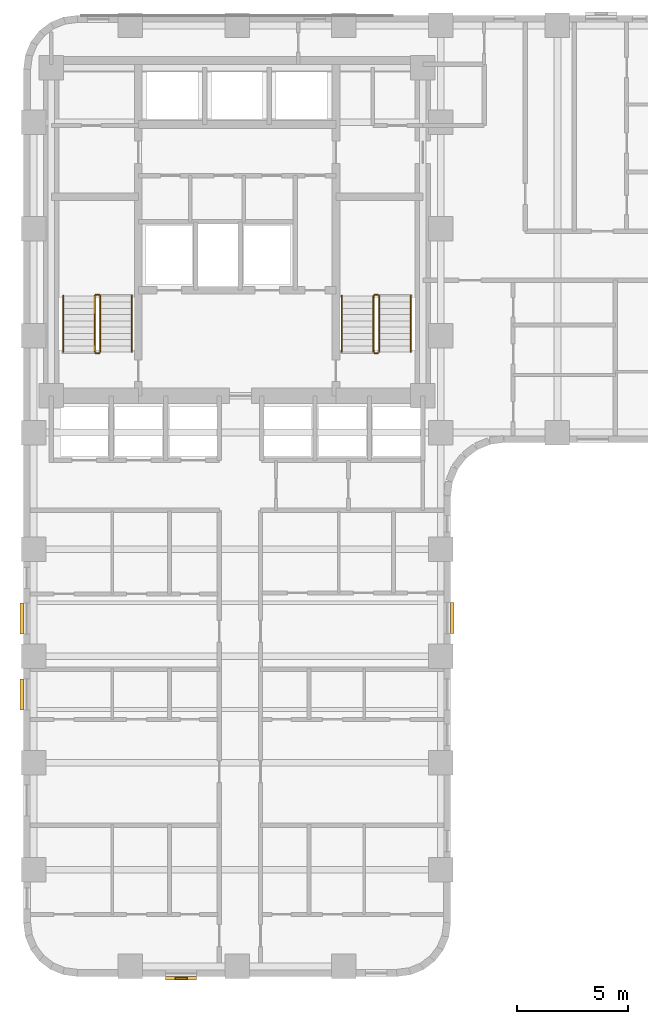
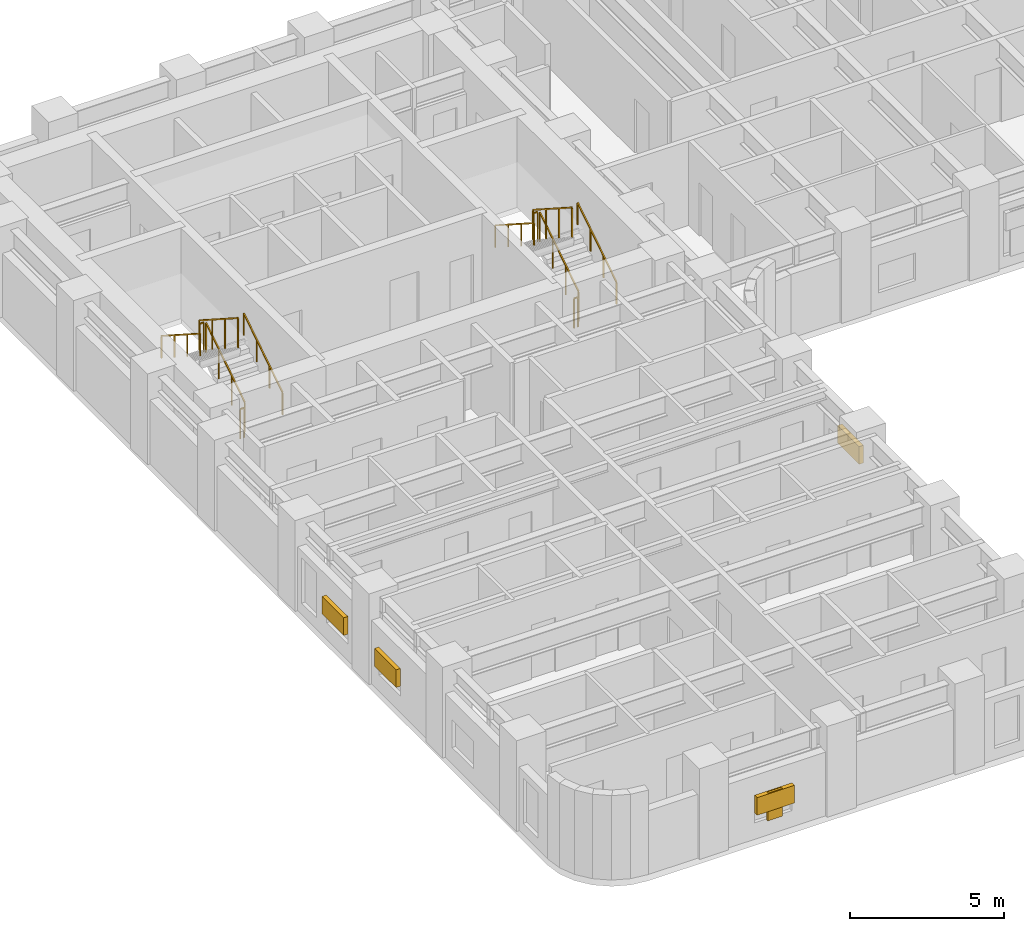
# One storey, part 9 of 11: 12 railings, 5 shading devices.
"""IFC4 building model written with IfcOpenShell, lengths in metres."""

from ifc_helpers import new_model, si_unit, direction, frame, origin, origin_2d, place, context, subcontext, project, spatial, rectangle, extrude, material, type_object, element, save


model = new_model("IFC4")

# Units and contexts
model_context = context("Model", 3, precision=1e-05, world=origin(), true_north=direction((0.0, 1.0)))
body_context = subcontext(model_context, "Body", "Model", "MODEL_VIEW")
ifc_project = project(units=[si_unit("LENGTHUNIT", "METRE"), si_unit("AREAUNIT", "SQUARE_METRE"), si_unit("VOLUMEUNIT", "CUBIC_METRE"), si_unit("PLANEANGLEUNIT", "RADIAN"), si_unit("MASSUNIT", "GRAM", prefix="KILO")], contexts=[model_context])

# Site, building, storey
site_placement = place(None, origin())
site = spatial("IfcSite", under=ifc_project, at=site_placement, CompositionType="ELEMENT")
building_placement = place(site_placement, origin())
building = spatial("IfcBuilding", under=site, at=building_placement, Name="Orvandelia Arch Residences", CompositionType="ELEMENT")
storey_placement = place(building_placement, frame((0.0, 0.0, 25.0)))
storey = spatial("IfcBuildingStorey", under=building, at=storey_placement, Name="L05", CompositionType="ELEMENT", Elevation=25.0)

# Railings
ifc_material_1 = material(Name="Brushed Stainless Steel 304", Category="steel")
railing_type_1 = type_object("IfcRailingType", Name="RL-STAIR-GD1120", PredefinedType="GUARDRAIL", material=ifc_material_1)
railing_1_placement = place(storey_placement, frame((8.25, 32.8701171875, 0.179931640625)))
element("IfcRailing", 1, at=railing_1_placement, inside=storey, type_object=railing_type_1, Name="L05 ST-1 stair guard 1", PredefinedType="GUARDRAIL", context=body_context, shape_type="SweptSolid", body=[
    extrude(rectangle(XDim=0.048095703125, YDim=0.048095703125, at=origin_2d()), frame((0.0, 0.0, 1.17578125), z_axis=(0.0, 0.841138753965, 0.540819375188), x_axis=(-1.0, 0.0, 0.0)), (0.0, 0.0, 1.0), 2.99560546875),
    extrude(rectangle(XDim=0.0419921875, YDim=0.0419921875, at=origin_2d()), origin(), (0.0, 0.0, 1.0), 1.15185546875),
    extrude(rectangle(XDim=0.0419921875, YDim=0.0419921875, at=origin_2d()), frame((0.0, 0.83984375, 0.5400390625)), (0.0, 0.0, 1.0), 1.15185546875),
    extrude(rectangle(XDim=0.0419921875, YDim=0.0419921875, at=origin_2d()), frame((0.0, 1.679931640625, 1.080078125)), (0.0, 0.0, 1.0), 1.15185546875),
    extrude(rectangle(XDim=0.0419921875, YDim=0.0419921875, at=origin_2d()), frame((0.0, 2.519775390625, 1.6201171875)), (0.0, 0.0, 1.0), 1.15185546875),
])
railing_2_placement = place(storey_placement, frame((8.199951171875, 35.43994140625, 1.800048828125)))
element("IfcRailing", 2, at=railing_2_placement, inside=storey, type_object=railing_type_1, Name="L05 ST-1 stair guard 2", PredefinedType="GUARDRAIL", context=body_context, shape_type="SweptSolid", body=[
    extrude(rectangle(XDim=0.048095703125, YDim=0.048095703125, at=origin_2d()), frame((0.0, 0.0, 1.17578125), z_axis=(-1.0, 0.0, 0.0), x_axis=(0.0, -1.0, 0.0)), (0.0, 0.0, 1.0), 0.14990234375),
    extrude(rectangle(XDim=0.0419921875, YDim=0.0419921875, at=origin_2d()), origin(), (0.0, 0.0, 1.0), 1.15185546875),
    extrude(rectangle(XDim=0.0419921875, YDim=0.0419921875, at=origin_2d()), frame((-0.14990234375, 0.0, 0.0)), (0.0, 0.0, 1.0), 1.15185546875),
])
railing_3_placement = place(storey_placement, frame((8.0, 35.389892578125, 1.97998046875)))
element("IfcRailing", 3, at=railing_3_placement, inside=storey, type_object=railing_type_1, Name="L05 ST-1 stair guard 3", PredefinedType="GUARDRAIL", context=body_context, shape_type="SweptSolid", body=[
    extrude(rectangle(XDim=0.048095703125, YDim=0.048095703125, at=origin_2d()), frame((0.0, 0.0, 1.17578125), z_axis=(0.0, -0.841138753965, 0.540819375188), x_axis=(1.0, 0.0, 0.0)), (0.0, 0.0, 1.0), 2.99560546875),
    extrude(rectangle(XDim=0.0419921875, YDim=0.0419921875, at=origin_2d()), origin(), (0.0, 0.0, 1.0), 1.15185546875),
    extrude(rectangle(XDim=0.0419921875, YDim=0.0419921875, at=origin_2d()), frame((0.0, -0.83984375, 0.5400390625)), (0.0, 0.0, 1.0), 1.15185546875),
    extrude(rectangle(XDim=0.0419921875, YDim=0.0419921875, at=origin_2d()), frame((0.0, -1.679931640625, 1.080078125)), (0.0, 0.0, 1.0), 1.15185546875),
    extrude(rectangle(XDim=0.0419921875, YDim=0.0419921875, at=origin_2d()), frame((0.0, -2.519775390625, 1.6201171875)), (0.0, 0.0, 1.0), 1.15185546875),
])
railing_4_placement = place(storey_placement, frame((8.199951171875, 32.820068359375, 0.0)))
element("IfcRailing", 4, at=railing_4_placement, inside=storey, type_object=railing_type_1, Name="L05 ST-1 stair guard 4", PredefinedType="GUARDRAIL", context=body_context, shape_type="SweptSolid", body=[
    extrude(rectangle(XDim=0.048095703125, YDim=0.048095703125, at=origin_2d()), frame((0.0, 0.0, 1.17578125), z_axis=(-1.0, 0.0, 0.0), x_axis=(0.0, -1.0, 0.0)), (0.0, 0.0, 1.0), 0.14990234375),
    extrude(rectangle(XDim=0.0419921875, YDim=0.0419921875, at=origin_2d()), origin(), (0.0, 0.0, 1.0), 1.15185546875),
    extrude(rectangle(XDim=0.0419921875, YDim=0.0419921875, at=origin_2d()), frame((-0.14990234375, 0.0, 0.0)), (0.0, 0.0, 1.0), 1.15185546875),
])
railing_5_placement = place(storey_placement, frame((20.780029296875, 32.8701171875, 0.179931640625)))
element("IfcRailing", 5, at=railing_5_placement, inside=storey, type_object=railing_type_1, Name="L05 ST-2 stair guard 1", PredefinedType="GUARDRAIL", context=body_context, shape_type="SweptSolid", body=[
    extrude(rectangle(XDim=0.048095703125, YDim=0.048095703125, at=origin_2d()), frame((0.0, 0.0, 1.17578125), z_axis=(0.0, 0.841138753965, 0.540819375188), x_axis=(-1.0, 0.0, 0.0)), (0.0, 0.0, 1.0), 2.99560546875),
    extrude(rectangle(XDim=0.0419921875, YDim=0.0419921875, at=origin_2d()), origin(), (0.0, 0.0, 1.0), 1.15185546875),
    extrude(rectangle(XDim=0.0419921875, YDim=0.0419921875, at=origin_2d()), frame((0.0, 0.83984375, 0.5400390625)), (0.0, 0.0, 1.0), 1.15185546875),
    extrude(rectangle(XDim=0.0419921875, YDim=0.0419921875, at=origin_2d()), frame((0.0, 1.679931640625, 1.080078125)), (0.0, 0.0, 1.0), 1.15185546875),
    extrude(rectangle(XDim=0.0419921875, YDim=0.0419921875, at=origin_2d()), frame((0.0, 2.519775390625, 1.6201171875)), (0.0, 0.0, 1.0), 1.15185546875),
])
railing_6_placement = place(storey_placement, frame((20.72998046875, 35.43994140625, 1.800048828125)))
element("IfcRailing", 6, at=railing_6_placement, inside=storey, type_object=railing_type_1, Name="L05 ST-2 stair guard 2", PredefinedType="GUARDRAIL", context=body_context, shape_type="SweptSolid", body=[
    extrude(rectangle(XDim=0.048095703125, YDim=0.048095703125, at=origin_2d()), frame((0.0, 0.0, 1.17578125), z_axis=(-1.0, 0.0, 0.0), x_axis=(0.0, -1.0, 0.0)), (0.0, 0.0, 1.0), 0.14990234375),
    extrude(rectangle(XDim=0.0419921875, YDim=0.0419921875, at=origin_2d()), origin(), (0.0, 0.0, 1.0), 1.15185546875),
    extrude(rectangle(XDim=0.0419921875, YDim=0.0419921875, at=origin_2d()), frame((-0.14990234375, 0.0, 0.0)), (0.0, 0.0, 1.0), 1.15185546875),
])
railing_7_placement = place(storey_placement, frame((20.530029296875, 35.389892578125, 1.97998046875)))
element("IfcRailing", 7, at=railing_7_placement, inside=storey, type_object=railing_type_1, Name="L05 ST-2 stair guard 3", PredefinedType="GUARDRAIL", context=body_context, shape_type="SweptSolid", body=[
    extrude(rectangle(XDim=0.048095703125, YDim=0.048095703125, at=origin_2d()), frame((0.0, 0.0, 1.17578125), z_axis=(0.0, -0.841138753965, 0.540819375188), x_axis=(1.0, 0.0, 0.0)), (0.0, 0.0, 1.0), 2.99560546875),
    extrude(rectangle(XDim=0.0419921875, YDim=0.0419921875, at=origin_2d()), origin(), (0.0, 0.0, 1.0), 1.15185546875),
    extrude(rectangle(XDim=0.0419921875, YDim=0.0419921875, at=origin_2d()), frame((0.0, -0.83984375, 0.5400390625)), (0.0, 0.0, 1.0), 1.15185546875),
    extrude(rectangle(XDim=0.0419921875, YDim=0.0419921875, at=origin_2d()), frame((0.0, -1.679931640625, 1.080078125)), (0.0, 0.0, 1.0), 1.15185546875),
    extrude(rectangle(XDim=0.0419921875, YDim=0.0419921875, at=origin_2d()), frame((0.0, -2.519775390625, 1.6201171875)), (0.0, 0.0, 1.0), 1.15185546875),
])
railing_8_placement = place(storey_placement, frame((20.72998046875, 32.820068359375, 0.0)))
element("IfcRailing", 8, at=railing_8_placement, inside=storey, type_object=railing_type_1, Name="L05 ST-2 stair guard 4", PredefinedType="GUARDRAIL", context=body_context, shape_type="SweptSolid", body=[
    extrude(rectangle(XDim=0.048095703125, YDim=0.048095703125, at=origin_2d()), frame((0.0, 0.0, 1.17578125), z_axis=(-1.0, 0.0, 0.0), x_axis=(0.0, -1.0, 0.0)), (0.0, 0.0, 1.0), 0.14990234375),
    extrude(rectangle(XDim=0.0419921875, YDim=0.0419921875, at=origin_2d()), origin(), (0.0, 0.0, 1.0), 1.15185546875),
    extrude(rectangle(XDim=0.0419921875, YDim=0.0419921875, at=origin_2d()), frame((-0.14990234375, 0.0, 0.0)), (0.0, 0.0, 1.0), 1.15185546875),
])
railing_type_2 = type_object("IfcRailingType", Name="RL-STAIR-HR920", PredefinedType="HANDRAIL", material=ifc_material_1)
railing_9_placement = place(storey_placement, frame((9.669921875, 32.8701171875, 0.360107421875)))
element("IfcRailing", 9, at=railing_9_placement, inside=storey, type_object=railing_type_2, Name="L05 ST-1 stair handrail 1", PredefinedType="HANDRAIL", context=body_context, shape_type="SweptSolid", body=[
    extrude(rectangle(XDim=0.048095703125, YDim=0.048095703125, at=origin_2d()), frame((0.0, 0.0, 0.8759765625), z_axis=(0.0, 0.841175827307, 0.540761710511), x_axis=(-1.0, 0.0, 0.0)), (0.0, 0.0, 1.0), 2.99560546875),
    extrude(rectangle(XDim=0.0419921875, YDim=0.0419921875, at=origin_2d()), origin(), (0.0, 0.0, 1.0), 0.851806640625),
    extrude(rectangle(XDim=0.0419921875, YDim=0.0419921875, at=origin_2d()), frame((0.0, 0.83984375, 0.5400390625)), (0.0, 0.0, 1.0), 0.851806640625),
    extrude(rectangle(XDim=0.0419921875, YDim=0.0419921875, at=origin_2d()), frame((0.0, 1.679931640625, 1.079833984375)), (0.0, 0.0, 1.0), 0.851806640625),
    extrude(rectangle(XDim=0.0419921875, YDim=0.0419921875, at=origin_2d()), frame((0.0, 2.519775390625, 1.619873046875)), (0.0, 0.0, 1.0), 0.851806640625),
])
railing_10_placement = place(storey_placement, frame((6.580078125, 35.389892578125, 2.159912109375)))
element("IfcRailing", 10, at=railing_10_placement, inside=storey, type_object=railing_type_2, Name="L05 ST-1 stair handrail 2", PredefinedType="HANDRAIL", context=body_context, shape_type="SweptSolid", body=[
    extrude(rectangle(XDim=0.048095703125, YDim=0.048095703125, at=origin_2d()), frame((0.0, 0.0, 0.8759765625), z_axis=(0.0, -0.841138753965, 0.540819375188), x_axis=(1.0, 0.0, 0.0)), (0.0, 0.0, 1.0), 2.99560546875),
    extrude(rectangle(XDim=0.0419921875, YDim=0.0419921875, at=origin_2d()), origin(), (0.0, 0.0, 1.0), 0.851806640625),
    extrude(rectangle(XDim=0.0419921875, YDim=0.0419921875, at=origin_2d()), frame((0.0, -0.83984375, 0.5400390625)), (0.0, 0.0, 1.0), 0.851806640625),
    extrude(rectangle(XDim=0.0419921875, YDim=0.0419921875, at=origin_2d()), frame((0.0, -1.679931640625, 1.080078125)), (0.0, 0.0, 1.0), 0.851806640625),
    extrude(rectangle(XDim=0.0419921875, YDim=0.0419921875, at=origin_2d()), frame((0.0, -2.519775390625, 1.6201171875)), (0.0, 0.0, 1.0), 0.851806640625),
])
railing_11_placement = place(storey_placement, frame((22.199951171875, 32.8701171875, 0.360107421875)))
element("IfcRailing", 11, at=railing_11_placement, inside=storey, type_object=railing_type_2, Name="L05 ST-2 stair handrail 1", PredefinedType="HANDRAIL", context=body_context, shape_type="SweptSolid", body=[
    extrude(rectangle(XDim=0.048095703125, YDim=0.048095703125, at=origin_2d()), frame((0.0, 0.0, 0.8759765625), z_axis=(0.0, 0.841175827307, 0.540761710511), x_axis=(-1.0, 0.0, 0.0)), (0.0, 0.0, 1.0), 2.99560546875),
    extrude(rectangle(XDim=0.0419921875, YDim=0.0419921875, at=origin_2d()), origin(), (0.0, 0.0, 1.0), 0.851806640625),
    extrude(rectangle(XDim=0.0419921875, YDim=0.0419921875, at=origin_2d()), frame((0.0, 0.83984375, 0.5400390625)), (0.0, 0.0, 1.0), 0.851806640625),
    extrude(rectangle(XDim=0.0419921875, YDim=0.0419921875, at=origin_2d()), frame((0.0, 1.679931640625, 1.079833984375)), (0.0, 0.0, 1.0), 0.851806640625),
    extrude(rectangle(XDim=0.0419921875, YDim=0.0419921875, at=origin_2d()), frame((0.0, 2.519775390625, 1.619873046875)), (0.0, 0.0, 1.0), 0.851806640625),
])
railing_12_placement = place(storey_placement, frame((19.110107421875, 35.389892578125, 2.159912109375)))
element("IfcRailing", 12, at=railing_12_placement, inside=storey, type_object=railing_type_2, Name="L05 ST-2 stair handrail 2", PredefinedType="HANDRAIL", context=body_context, shape_type="SweptSolid", body=[
    extrude(rectangle(XDim=0.048095703125, YDim=0.048095703125, at=origin_2d()), frame((0.0, 0.0, 0.8759765625), z_axis=(0.0, -0.841138753965, 0.540819375188), x_axis=(1.0, 0.0, 0.0)), (0.0, 0.0, 1.0), 2.99560546875),
    extrude(rectangle(XDim=0.0419921875, YDim=0.0419921875, at=origin_2d()), origin(), (0.0, 0.0, 1.0), 0.851806640625),
    extrude(rectangle(XDim=0.0419921875, YDim=0.0419921875, at=origin_2d()), frame((0.0, -0.83984375, 0.5400390625)), (0.0, 0.0, 1.0), 0.851806640625),
    extrude(rectangle(XDim=0.0419921875, YDim=0.0419921875, at=origin_2d()), frame((0.0, -1.679931640625, 1.080078125)), (0.0, 0.0, 1.0), 0.851806640625),
    extrude(rectangle(XDim=0.0419921875, YDim=0.0419921875, at=origin_2d()), frame((0.0, -2.519775390625, 1.6201171875)), (0.0, 0.0, 1.0), 0.851806640625),
])

# Shading devices
ifc_material_2 = material(Name="Anodised Champagne-Bronze Extruded Aluminium", Category="aluminium")
shading_device_type_1 = type_object("IfcShadingDeviceType", Name="SHD-JALOUSIE-SCREEN", PredefinedType="JALOUSIE", material=ifc_material_2)
for number, where, z_axis, x_axis, name in (
    (13, (24.080078125, 20.905029296875, 1.0498046875), (0.0, 0.0, 1.0), (0.0, -1.0, 0.0), "Bronze Jalousie Sun-Shade L05-008"),
    (14, (11.885009765625, 4.719970703125, 1.0498046875), (0.0, 0.0, 1.0), (-1.0, 0.0, 0.0), "Bronze Jalousie Sun-Shade L05-009"),
    (15, (4.719970703125, 17.47998046875, 1.0498046875), (0.0, 0.0, 1.0), (0.0, 1.0, 0.0), "Bronze Jalousie Sun-Shade L05-010"),
    (16, (4.719970703125, 20.885009765625, 1.0498046875), (0.0, 0.0, 1.0), (0.0, 1.0, 0.0), "Bronze Jalousie Sun-Shade L05-011"),
):
    element("IfcShadingDevice", number, at=place(storey_placement, frame(where, z_axis=z_axis, x_axis=x_axis)), inside=storey, type_object=shading_device_type_1, Name=name, PredefinedType="JALOUSIE", context=body_context, shape_type="SweptSolid", body=[
        extrude(rectangle(XDim=1.39990234375, YDim=0.159912109375, at=origin_2d()), origin(), (0.0, 0.0, 1.0), 0.699951171875),
    ])
ifc_material_3 = material(Name="Marine-Grade Perforated Aluminium Storm Shutter", Category="aluminium")
shading_device_type_2 = type_object("IfcShadingDeviceType", Name="SHD-STORM-SHUTTER", PredefinedType="SHUTTER", material=ifc_material_3)
shading_device_placement = place(storey_placement, frame((11.885009765625, 4.719970703125, 0.64990234375), z_axis=(0.0, 0.0, 1.0), x_axis=(-1.0, 0.0, 0.0)))
element("IfcShadingDevice", 17, at=shading_device_placement, inside=storey, type_object=shading_device_type_2, Name="Operable Typhoon Storm Shutter L05-009", PredefinedType="SHUTTER", context=body_context, shape_type="SweptSolid", body=[
    extrude(rectangle(XDim=0.550048828125, YDim=0.080078125, at=origin_2d()), origin(), (0.0, 0.0, 1.0), 1.10009765625),
])

save(model, "model.ifc")
